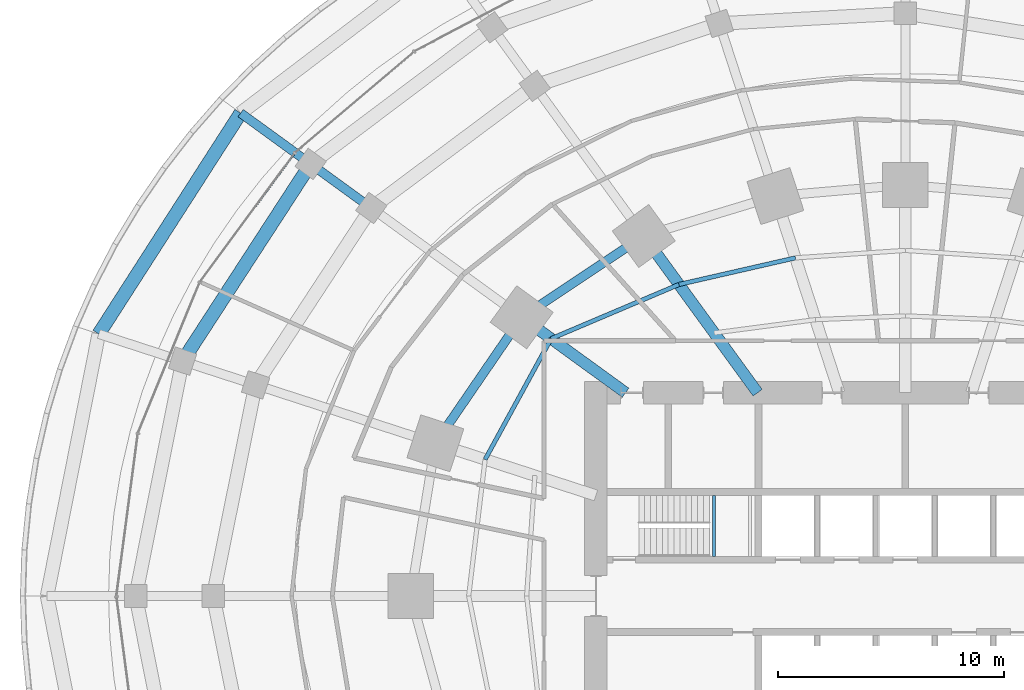
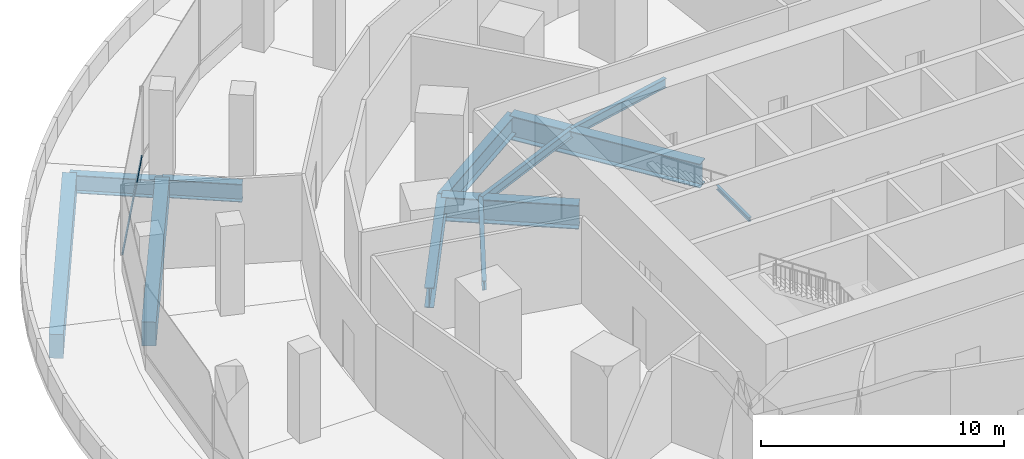
# One storey, part 9 of 27: 12 beams, 1 member, 1 element without a shape of its own.
"""IFC4 building model written with IfcOpenShell, lengths in metres."""

import ifcopenshell
import ifcopenshell.guid

model = None  # the IFC model being written
_history = None  # IfcOwnerHistory: only IFC2X3 demands one
_inside = {}  # id of a spatial element -> (the spatial element, [elements in it])
_under = {}  # id of a project, library or spatial element -> (it, [spatial elements below it])
_declared = {}  # id of a project -> (the project, [libraries it declares])
_typed = {}  # id of a type object -> (the type object, [elements of that type])
_made_of = {}  # id of a material, layer set ... -> (it, [elements and type objects made of it])


def new_model(schema):
    """Start an empty IFC model of exactly this schema.

    Asked for "IFC4X3", IfcOpenShell would pick the latest addendum, in which some entities
    have other attributes; the version numbers below select the first issue.
    IFC2X3 requires an IfcOwnerHistory on every rooted entity: one is made here for all.
    """
    global model, _history
    if schema == "IFC4X3":
        model = ifcopenshell.file(schema_version=(4, 3, 0, 0))
    else:
        model = ifcopenshell.file(schema=schema)
    _inside.clear()
    _under.clear()
    _declared.clear()
    _typed.clear()
    _made_of.clear()
    _history = None
    if model.schema == "IFC2X3":
        org = make("IfcOrganization", Name="unknown")
        user = make(
            "IfcPersonAndOrganization",
            ThePerson=make("IfcPerson", FamilyName="unknown"),
            TheOrganization=org,
        )
        app = make(
            "IfcApplication",
            ApplicationDeveloper=org,
            Version="unknown",
            ApplicationFullName="unknown",
            ApplicationIdentifier="unknown",
        )
        _history = make(
            "IfcOwnerHistory",
            OwningUser=user,
            OwningApplication=app,
            ChangeAction="ADDED",
            CreationDate=0,
        )
    return model


def make(cls, **values):
    """One entity of the class cls with the attributes given. An attribute that is None is left unset."""
    return model.create_entity(
        cls, **{name: value for name, value in values.items() if value is not None}
    )


def rooted(cls, **values):
    """An entity with a GlobalId (a new one), such as an element, a storey or a relation."""
    return make(cls, GlobalId=ifcopenshell.guid.new(), OwnerHistory=_history, **values)


def si_unit(unit_type, name, prefix=None):
    """IfcSIUnit, for example si_unit("LENGTHUNIT", "METRE", prefix="MILLI")."""
    return make("IfcSIUnit", UnitType=unit_type, Prefix=prefix, Name=name)


def assignment(units):
    """IfcUnitAssignment: the units of a project."""
    return None if units is None else make("IfcUnitAssignment", Units=units)


def point(xyz):
    """IfcCartesianPoint."""
    return None if xyz is None else make("IfcCartesianPoint", Coordinates=xyz)


def direction(xyz):
    """IfcDirection."""
    return None if xyz is None else make("IfcDirection", DirectionRatios=xyz)


def frame(location, z_axis=None, x_axis=None):
    """IfcAxis2Placement3D, a coordinate frame: its origin and axes. An axis left out is left unset."""
    return make(
        "IfcAxis2Placement3D",
        Location=point(location),
        Axis=direction(z_axis),
        RefDirection=direction(x_axis),
    )


def frame_2d(location, x_axis=None):
    """IfcAxis2Placement2D, a coordinate frame in the plane: its origin and x axis."""
    return make(
        "IfcAxis2Placement2D", Location=point(location), RefDirection=direction(x_axis)
    )


def origin():
    """The frame at (0, 0, 0) with its axes left unset."""
    return frame((0.0, 0.0, 0.0))


def origin_2d():
    """The frame at (0, 0) in the plane with its x axis left unset."""
    return frame_2d((0.0, 0.0))


def place(relative_to, where):
    """IfcLocalPlacement: puts the frame where relative to a parent placement (None: the world)."""
    return make(
        "IfcLocalPlacement", PlacementRelTo=relative_to, RelativePlacement=where
    )


def context(
    kind, dimensions, precision=None, world=None, true_north=None, identifier=None
):
    """IfcGeometricRepresentationContext, for example the 3D "Model" context."""
    return make(
        "IfcGeometricRepresentationContext",
        ContextIdentifier=identifier,
        ContextType=kind,
        CoordinateSpaceDimension=dimensions,
        Precision=precision,
        WorldCoordinateSystem=world,
        TrueNorth=true_north,
    )


def subcontext(parent, identifier, kind, view, scale=None):
    """IfcGeometricRepresentationSubContext, for example "Body" below "Model"."""
    return make(
        "IfcGeometricRepresentationSubContext",
        ContextIdentifier=identifier,
        ContextType=kind,
        ParentContext=parent,
        TargetScale=scale,
        TargetView=view,
    )


def project(units=None, contexts=None):
    """IfcProject with its units and contexts."""
    return rooted(
        "IfcProject",
        Name="project",
        RepresentationContexts=contexts,
        UnitsInContext=assignment(units),
    )


def spatial(cls, under=None, at=None, **own):
    """A site, building, storey or space (cls), placed at a placement, below another one or the project."""
    s = rooted(cls, ObjectPlacement=at, **own)
    if under is not None:
        _under.setdefault(under.id(), (under, []))[1].append(s)
    return s


def profile(cls, at=None, kind="AREA", **sizes):
    """A parametric profile (cls). Its sizes go by their IFC names, for example OverallWidth=200.0."""
    return make(cls, ProfileType=kind, Position=at, **sizes)


def rectangle(**sizes):
    """IfcRectangleProfileDef."""
    return profile("IfcRectangleProfileDef", **sizes)


def i_section(**sizes):
    """IfcIShapeProfileDef."""
    return profile("IfcIShapeProfileDef", **sizes)


def extrude(swept, where, along, depth):
    """IfcExtrudedAreaSolid: the profile swept, set in the frame where, extruded along a direction by depth."""
    return make(
        "IfcExtrudedAreaSolid",
        SweptArea=swept,
        Position=where,
        ExtrudedDirection=direction(along),
        Depth=depth,
    )


def shape(context_of_items, identifier, shape_type, items):
    """IfcShapeRepresentation: the items that make up one representation, for example the "Body"."""
    return make(
        "IfcShapeRepresentation",
        ContextOfItems=context_of_items,
        RepresentationIdentifier=identifier,
        RepresentationType=shape_type,
        Items=items,
    )


def material(Name=None, Category=None):
    """IfcMaterial."""
    return make("IfcMaterial", Name=Name, Category=Category)


def material_profile(
    of_material, cross_section, Name=None, Category=None, Priority=None
):
    """IfcMaterialProfile: a cross section and its material."""
    return make(
        "IfcMaterialProfile",
        Name=Name,
        Material=of_material,
        Profile=cross_section,
        Priority=Priority,
        Category=Category,
    )


def profile_set(profiles, Name=None, composite=None):
    """IfcMaterialProfileSet."""
    return make(
        "IfcMaterialProfileSet",
        Name=Name,
        MaterialProfiles=profiles,
        CompositeProfile=composite,
    )


def made_of(thing, what):
    """Note that an element or type object is made of a material, layer set ...; save() writes the relation."""
    if what is not None:
        _made_of.setdefault(what.id(), (what, []))[1].append(thing)
    return thing


def type_object(cls, material=None, **own):
    """A type object (cls), such as IfcWallType, which elements share."""
    return made_of(rooted(cls, **own), material)


def element(
    cls,
    number,
    at=None,
    inside=None,
    cuts=None,
    type_object=None,
    material=None,
    context=None,
    identifier="Body",
    shape_type=None,
    held_by="IfcProductDefinitionShape",
    body=None,
    shapes=None,
    **own,
):
    """One element of the class cls, such as IfcWall. Its Tag is "e" and its number.

    at: its placement. inside: the storey or other place that contains it. cuts: it is an
    opening in that element (IfcRelVoidsElement). A single representation is given by context,
    identifier, shape_type and body (its items); several are given by shapes. held_by: the class
    of the entity that holds the representations. save() writes the other relations.
    """
    e = rooted(cls, Tag="e%d" % number, ObjectPlacement=at, **own)
    if body is not None:
        shapes = [shape(context, identifier, shape_type, body)]
    if shapes is not None:
        e.Representation = make(held_by, Representations=shapes)
    if inside is not None:
        _inside.setdefault(inside.id(), (inside, []))[1].append(e)
    if cuts is not None:
        rooted(
            "IfcRelVoidsElement", RelatingBuildingElement=cuts, RelatedOpeningElement=e
        )
    if type_object is not None:
        _typed.setdefault(type_object.id(), (type_object, []))[1].append(e)
    return made_of(e, material)


def aggregate(whole, parts):
    """IfcRelAggregates: a whole, such as a stair, and the parts it consists of."""
    return rooted("IfcRelAggregates", RelatingObject=whole, RelatedObjects=parts)


def save(model, path):
    """Write the relations noted so far, then the file.

    IfcRelAggregates (storeys below a building ...), IfcRelContainedInSpatialStructure (elements
    in a storey), IfcRelDefinesByType, IfcRelAssociatesMaterial and IfcRelDeclares: one each for
    every whole, place, type object, material and project.
    """
    for whole, parts in _under.values():
        aggregate(whole, parts)
    for where, things in _inside.values():
        rooted(
            "IfcRelContainedInSpatialStructure",
            RelatedElements=things,
            RelatingStructure=where,
        )
    for kind, things in _typed.values():
        rooted("IfcRelDefinesByType", RelatedObjects=things, RelatingType=kind)
    for what, things in _made_of.values():
        rooted("IfcRelAssociatesMaterial", RelatedObjects=things, RelatingMaterial=what)
    for by, libraries in _declared.values():
        rooted("IfcRelDeclares", RelatingContext=by, RelatedDefinitions=libraries)
    model.write(path)


model = new_model("IFC4")

# Units and contexts
model_context = context("Model", 3, precision=1e-05, world=origin(), true_north=direction((0.0, 1.0)))
body_context = subcontext(model_context, "Body", "Model", "MODEL_VIEW")
ifc_project = project(units=[si_unit("LENGTHUNIT", "METRE"), si_unit("AREAUNIT", "SQUARE_METRE"), si_unit("VOLUMEUNIT", "CUBIC_METRE"), si_unit("PLANEANGLEUNIT", "RADIAN"), si_unit("MASSUNIT", "GRAM", prefix="KILO")], contexts=[model_context])

# Site, building, storey
site_placement = place(None, origin())
site = spatial("IfcSite", under=ifc_project, at=site_placement, CompositionType="ELEMENT")
building_placement = place(site_placement, origin())
building = spatial("IfcBuilding", under=site, at=building_placement, Name="Marramba Exchange Tower", CompositionType="ELEMENT")
storey_placement = place(building_placement, frame((0.0, 0.0, 10.60009765625)))
storey = spatial("IfcBuildingStorey", under=building, at=storey_placement, Name="L02", CompositionType="ELEMENT", Elevation=10.60009765625)

# Beams
ifc_material_1 = material(Name="Concrete N50", Category="concrete")
ifc_material_profile_1 = material_profile(ifc_material_1, rectangle(XDim=0.60009765625, YDim=1.199951171875, at=origin_2d()), Name="RC 600x1200")
ifc_profile_set_1 = profile_set([ifc_material_profile_1], Name="Concrete N50")
beam_type_1 = type_object("IfcBeamType", Name="Edge beam RC 600x1200 N50", PredefinedType="SPANDREL", material=ifc_profile_set_1)
beam_1_placement = place(storey_placement, frame((-29.430908203125, 21.3828125, -0.85009765625), z_axis=(-0.540426316599, -0.841391345526, 0.0), x_axis=(0.841391345526, -0.540426316599, 0.0)))
element("IfcBeam", 1, at=beam_1_placement, inside=storey, type_object=beam_type_1, Name="Edge beam L02 P1C09", PredefinedType="SPANDREL", context=body_context, shape_type="SweptSolid", body=[
    extrude(rectangle(XDim=0.60009765625, YDim=1.199951171875, at=origin_2d()), origin(), (0.0, 0.0, 1.0), 11.622802734375),
])
beam_2_placement = place(storey_placement, frame((-26.33203125, 19.13134765625, -0.800048828125), z_axis=(-0.544797972412, -0.838567331379, 0.0), x_axis=(0.838567331379, -0.544797972412, 0.0)))
element("IfcBeam", 2, at=beam_2_placement, inside=storey, type_object=beam_type_1, Name="Edge beam L02 P2C09", PredefinedType="SPANDREL", context=body_context, shape_type="SweptSolid", body=[
    extrude(rectangle(XDim=0.60009765625, YDim=1.199951171875, at=origin_2d()), origin(), (0.0, 0.0, 1.0), 10.413330078125),
])
ifc_material_2 = material(Name="Steel AS/NZS 3679.1 grade 300", Category="steel")
ifc_material_profile_2 = material_profile(ifc_material_2, i_section(OverallWidth=0.18994140625, OverallDepth=0.4541015625, WebThickness=0.008544921875, FlangeThickness=0.0126953125, FilletRadius=0.011474609375, at=origin_2d()), Name="460UB67.1")
ifc_profile_set_2 = profile_set([ifc_material_profile_2], Name="Steel AS/NZS 3679.1 grade 300")
beam_type_2 = type_object("IfcBeamType", Name="Floor joist 460UB67.1", PredefinedType="JOIST", material=ifc_profile_set_2)
beam_3_placement = place(storey_placement, frame((-4.86474609375, 14.972412109375, -0.427001953125), z_axis=(-0.974859652292, -0.222819788916, 0.0), x_axis=(0.222819788916, -0.974859652292, 0.0)))
element("IfcBeam", 3, at=beam_3_placement, inside=storey, type_object=beam_type_2, Name="Joist L02 bay 07 row 2", PredefinedType="JOIST", context=body_context, shape_type="SweptSolid", body=[
    extrude(i_section(OverallWidth=0.18994140625, OverallDepth=0.4541015625, WebThickness=0.008544921875, FlangeThickness=0.0126953125, FilletRadius=0.011474609375, at=origin_2d()), origin(), (0.0, 0.0, 1.0), 5.2900390625),
])
beam_4_placement = place(storey_placement, frame((-10.021728515625, 13.793701171875, -0.427001953125), z_axis=(-0.920674336375, -0.390331610738, 0.0), x_axis=(0.390331610738, -0.920674336375, 0.0)))
element("IfcBeam", 4, at=beam_4_placement, inside=storey, type_object=beam_type_2, Name="Joist L02 bay 08 row 2", PredefinedType="JOIST", context=body_context, shape_type="SweptSolid", body=[
    extrude(i_section(OverallWidth=0.18994140625, OverallDepth=0.4541015625, WebThickness=0.008544921875, FlangeThickness=0.0126953125, FilletRadius=0.011474609375, at=origin_2d()), origin(), (0.0, 0.0, 1.0), 6.1484375),
])
beam_5_placement = place(storey_placement, frame((-15.682373046875, 11.393798828125, -0.427001953125), z_axis=(-0.479584443791, -0.877495732909, 0.0), x_axis=(0.877495732909, -0.479584443791, 0.0)))
element("IfcBeam", 5, at=beam_5_placement, inside=storey, type_object=beam_type_2, Name="Joist L02 bay 09 row 2", PredefinedType="JOIST", context=body_context, shape_type="SweptSolid", body=[
    extrude(i_section(OverallWidth=0.18994140625, OverallDepth=0.4541015625, WebThickness=0.008544921875, FlangeThickness=0.0126953125, FilletRadius=0.011474609375, at=origin_2d()), origin(), (0.0, 0.0, 1.0), 6.094970703125),
])

# Curtain wall, member
ifc_material_3 = material(Name="Aluminium framing, bronze anodised", Category="aluminium")
curtain_wall_type = type_object("IfcCurtainWallType", Name="Podium ribbon curtain wall", PredefinedType="USERDEFINED", material=ifc_material_3)
curtain_wall_placement = place(storey_placement, origin())
curtain_wall = element("IfcCurtainWall", 6, at=curtain_wall_placement, inside=storey, type_object=curtain_wall_type, Name="Curtain wall CW2 L02 F11-F15", ObjectType="RIBBON CURTAIN WALL", PredefinedType="USERDEFINED")
ifc_material_4 = material(Name="Aluminium transom, bronze anodised", Category="aluminium")
ifc_material_profile_3 = material_profile(ifc_material_4, rectangle(XDim=0.06005859375, YDim=0.1201171875, at=origin_2d()), Name="CW2 transom 60x120")
ifc_profile_set_3 = profile_set([ifc_material_profile_3], Name="Aluminium transom, bronze anodised")
member_type = type_object("IfcMemberType", Name="Podium ribbon curtain wall transom", PredefinedType="USERDEFINED", material=ifc_profile_set_3)
member_placement = place(storey_placement, frame((-27.05517578125, 19.58251953125, 0.829833984375), z_axis=(-0.593139966087, -0.805099360719, 0.0), x_axis=(0.805099360719, -0.593139966087, 0.0)))
member = element("IfcMember", 7, at=member_placement, type_object=member_type, Name="CW2 sill transom", ObjectType="TRANSOM", PredefinedType="USERDEFINED", context=body_context, shape_type="SweptSolid", body=[
    extrude(rectangle(XDim=0.06005859375, YDim=0.1201171875, at=origin_2d()), origin(), (0.0, 0.0, 1.0), 7.049072265625),
])
aggregate(curtain_wall, [member])

# Beams
ifc_material_5 = material(Name="Steel AS/NZS 3679.2 grade 300", Category="steel")
ifc_material_profile_4 = material_profile(ifc_material_5, i_section(OverallWidth=0.5, OverallDepth=1.199951171875, WebThickness=0.01611328125, FlangeThickness=0.0400390625, at=origin_2d()), Name="1200WB455")
ifc_profile_set_4 = profile_set([ifc_material_profile_4], Name="Steel AS/NZS 3679.2 grade 300")
beam_type_3 = type_object("IfcBeamType", Name="Radial girder 1200WB455", PredefinedType="BEAM", material=ifc_profile_set_4)
beam_6_placement = place(storey_placement, frame((-6.538818359375, 9.0, -0.800048828125), z_axis=(-0.587782439969, 0.80901903764, 0.0), x_axis=(-0.80901903764, -0.587782439969, 0.0)))
element("IfcBeam", 8, at=beam_6_placement, inside=storey, type_object=beam_type_3, Name="Radial girder L02 TC08", PredefinedType="BEAM", context=body_context, shape_type="SweptSolid", body=[
    extrude(i_section(OverallWidth=0.5, OverallDepth=1.199951171875, WebThickness=0.01611328125, FlangeThickness=0.0400390625, at=origin_2d()), origin(), (0.0, 0.0, 1.0), 8.578857421875),
])
beam_7_placement = place(storey_placement, frame((-12.387451171875, 9.0, -0.800048828125), z_axis=(-0.809025746925, 0.587773205252, 0.0), x_axis=(-0.587773205252, -0.809025746925, 0.0)))
element("IfcBeam", 9, at=beam_7_placement, inside=storey, type_object=beam_type_3, Name="Radial girder L02 TC09", PredefinedType="BEAM", context=body_context, shape_type="SweptSolid", body=[
    extrude(i_section(OverallWidth=0.5, OverallDepth=1.199951171875, WebThickness=0.01611328125, FlangeThickness=0.0400390625, at=origin_2d()), origin(), (0.0, 0.0, 1.0), 5.683837890625),
])
ifc_material_profile_5 = material_profile(ifc_material_5, i_section(OverallWidth=0.39990234375, OverallDepth=0.89990234375, WebThickness=0.01611328125, FlangeThickness=0.031982421875, at=origin_2d()), Name="900WB282")
ifc_profile_set_5 = profile_set([ifc_material_profile_5], Name="Steel AS/NZS 3679.2 grade 300")
beam_type_4 = type_object("IfcBeamType", Name="Radial girder 900WB282", PredefinedType="BEAM", material=ifc_profile_set_5)
beam_8_placement = place(storey_placement, frame((-29.430908203125, 21.3828125, -0.7001953125), z_axis=(0.809017124945, -0.587785072579, 0.0), x_axis=(0.587785072579, 0.809017124945, 0.0)))
element("IfcBeam", 10, at=beam_8_placement, inside=storey, type_object=beam_type_4, Name="Radial girder L02 P1C09", PredefinedType="BEAM", context=body_context, shape_type="SweptSolid", body=[
    extrude(i_section(OverallWidth=0.39990234375, OverallDepth=0.89990234375, WebThickness=0.01611328125, FlangeThickness=0.031982421875, at=origin_2d()), origin(), (0.0, 0.0, 1.0), 3.830322265625),
])
beam_9_placement = place(storey_placement, frame((-26.33203125, 19.13134765625, -0.650146484375), z_axis=(0.809018867973, -0.587782673497, 0.0), x_axis=(0.587782673497, 0.809018867973, 0.0)))
element("IfcBeam", 11, at=beam_9_placement, inside=storey, type_object=beam_type_4, Name="Radial girder L02 P2C09", PredefinedType="BEAM", context=body_context, shape_type="SweptSolid", body=[
    extrude(i_section(OverallWidth=0.39990234375, OverallDepth=0.89990234375, WebThickness=0.01611328125, FlangeThickness=0.031982421875, at=origin_2d()), origin(), (0.0, 0.0, 1.0), 3.321533203125),
])
ifc_material_profile_6 = material_profile(ifc_material_5, i_section(OverallWidth=0.39990234375, OverallDepth=1.0, WebThickness=0.01611328125, FlangeThickness=0.031982421875, at=origin_2d()), Name="1000WB322")
ifc_profile_set_6 = profile_set([ifc_material_profile_6], Name="Steel AS/NZS 3679.2 grade 300")
beam_type_5 = type_object("IfcBeamType", Name="Ring beam 1000WB322", PredefinedType="SPANDREL", material=ifc_profile_set_6)
beam_10_placement = place(storey_placement, frame((-11.581298828125, 15.9404296875, -0.7001953125), z_axis=(-0.832293151443, -0.554335737673, 0.0), x_axis=(0.554335737673, -0.832293151443, 0.0)))
element("IfcBeam", 12, at=beam_10_placement, inside=storey, type_object=beam_type_5, Name="Ring beam L02 TC08-TC09", PredefinedType="SPANDREL", context=body_context, shape_type="SweptSolid", body=[
    extrude(i_section(OverallWidth=0.39990234375, OverallDepth=1.0, WebThickness=0.01611328125, FlangeThickness=0.031982421875, at=origin_2d()), origin(), (0.0, 0.0, 1.0), 6.49365234375),
])
beam_11_placement = place(storey_placement, frame((-16.98583984375, 12.3408203125, -0.7001953125), z_axis=(-0.56516002054, -0.824981303535, 0.0), x_axis=(0.824981303535, -0.56516002054, 0.0)))
element("IfcBeam", 13, at=beam_11_placement, inside=storey, type_object=beam_type_5, Name="Ring beam L02 TC09-TC10", PredefinedType="SPANDREL", context=body_context, shape_type="SweptSolid", body=[
    extrude(i_section(OverallWidth=0.39990234375, OverallDepth=1.0, WebThickness=0.01611328125, FlangeThickness=0.031982421875, at=origin_2d()), origin(), (0.0, 0.0, 1.0), 6.763671875),
])
ifc_material_profile_7 = material_profile(ifc_material_2, i_section(OverallWidth=0.133056640625, OverallDepth=0.202880859375, WebThickness=0.005859375, FlangeThickness=0.0078125, FilletRadius=0.0087890625, at=origin_2d()), Name="200UB25.4")
ifc_profile_set_7 = profile_set([ifc_material_profile_7], Name="Steel AS/NZS 3679.1 grade 300")
beam_type_6 = type_object("IfcBeamType", Name="Stair landing beam 200UB25.4", PredefinedType="BEAM", material=ifc_profile_set_7)
beam_12_placement = place(storey_placement, frame((-8.46337890625, 1.75, 1.948486328125), z_axis=(0.0, 1.0, 0.0), x_axis=(-1.0, 0.0, 0.0)))
element("IfcBeam", 14, at=beam_12_placement, inside=storey, type_object=beam_type_6, Name="Stair landing beam SLB1 ST1 L02 1", PredefinedType="BEAM", context=body_context, shape_type="SweptSolid", body=[
    extrude(i_section(OverallWidth=0.133056640625, OverallDepth=0.202880859375, WebThickness=0.005859375, FlangeThickness=0.0078125, FilletRadius=0.0087890625, at=origin_2d()), origin(), (0.0, 0.0, 1.0), 2.699951171875),
])

save(model, "model.ifc")
